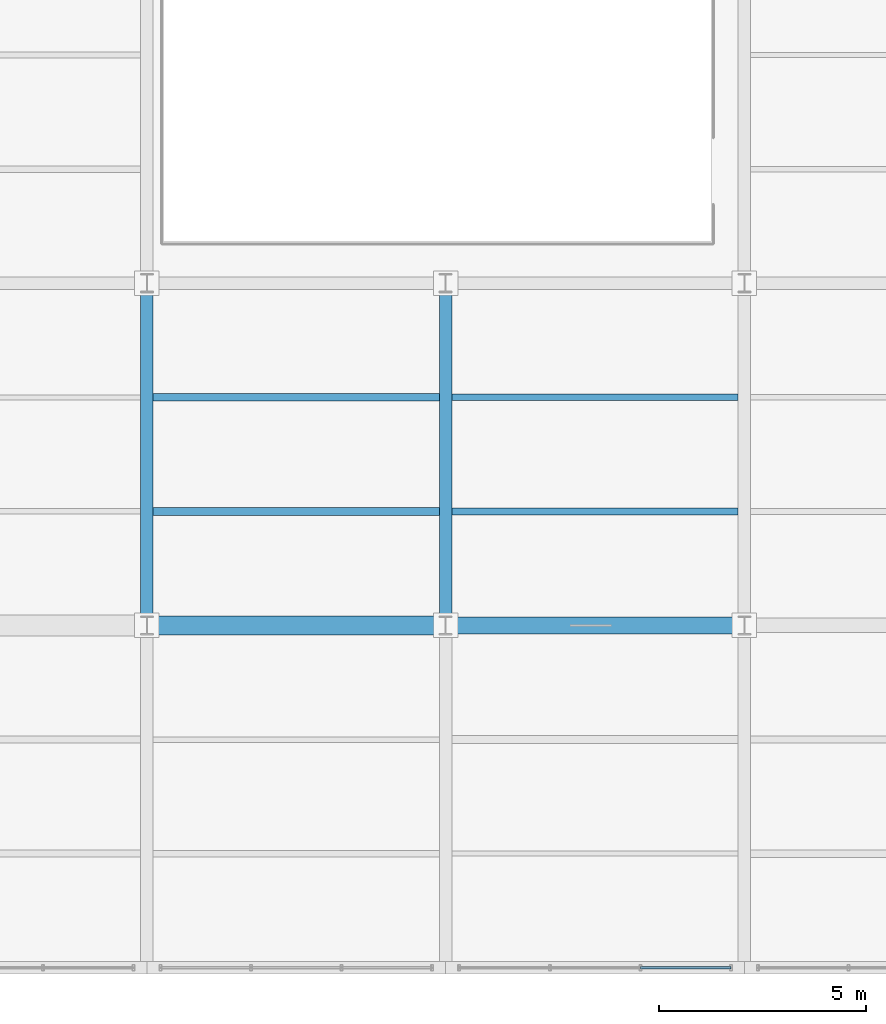
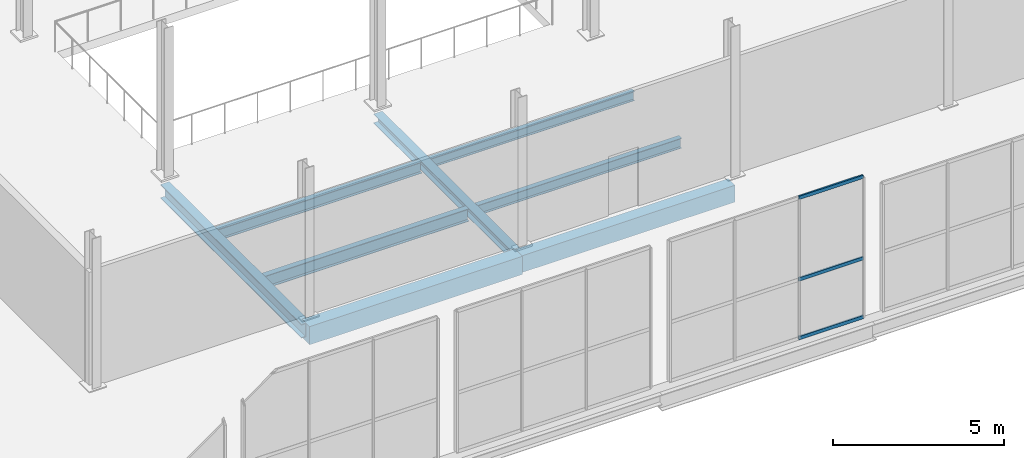
# One storey, part 78 of 147: 8 beams, 3 members, 1 element without a shape of its own.
"""IFC4 building model written with IfcOpenShell, lengths in metres."""

from ifc_helpers import new_model, si_unit, direction, frame, origin, origin_2d, place, context, subcontext, project, spatial, rectangle, hollow_rectangle, i_section, extrude, material, layer, layer_set, material_profile, profile_set, type_object, element, aggregate, save


model = new_model("IFC4")

# Units and contexts
model_context = context("Model", 3, precision=1e-05, world=origin(), true_north=direction((0.0, 1.0)))
body_context = subcontext(model_context, "Body", "Model", "MODEL_VIEW")
ifc_project = project(units=[si_unit("LENGTHUNIT", "METRE"), si_unit("AREAUNIT", "SQUARE_METRE"), si_unit("VOLUMEUNIT", "CUBIC_METRE"), si_unit("PLANEANGLEUNIT", "RADIAN"), si_unit("MASSUNIT", "GRAM", prefix="KILO")], contexts=[model_context])

# Site, building, storey
site_placement = place(None, origin())
site = spatial("IfcSite", under=ifc_project, at=site_placement, CompositionType="ELEMENT")
building_placement = place(site_placement, origin())
building = spatial("IfcBuilding", under=site, at=building_placement, Name="Sundgate Opera House", CompositionType="ELEMENT")
storey_placement = place(building_placement, frame((0.0, 0.0, 6.0)))
storey = spatial("IfcBuildingStorey", under=building, at=storey_placement, Name="L01", CompositionType="ELEMENT", Elevation=6.0)

# Beams
ifc_material_1 = material(Name="Steel S355J2", Category="steel")
ifc_material_profile_1 = material_profile(ifc_material_1, i_section(OverallWidth=0.300048828125, OverallDepth=0.330078125, WebThickness=0.009521484375, FlangeThickness=0.0166015625, at=origin_2d()), Name="HEA 340")
ifc_profile_set_1 = profile_set([ifc_material_profile_1], Name="Steel S355J2")
beam_type_1 = type_object("IfcBeamType", Name="BM-GR-HEA340", PredefinedType="BEAM", material=ifc_profile_set_1)
beam_1_placement = place(storey_placement, frame((138.60009765625, 8.25, -0.465087890625), z_axis=(0.0, 1.0, 0.0), x_axis=(-1.0, 0.0, 0.0)))
element("IfcBeam", 1, at=beam_1_placement, inside=storey, type_object=beam_type_1, Name="L01 Primary N-S Girder B1217", PredefinedType="BEAM", context=body_context, shape_type="SweptSolid", body=[
    extrude(i_section(OverallWidth=0.300048828125, OverallDepth=0.330078125, WebThickness=0.009521484375, FlangeThickness=0.0166015625, at=origin_2d()), origin(), (0.0, 0.0, 1.0), 8.25),
])
ifc_material_2 = material(Name="Steel S355J2", Category="steel")
ifc_material_profile_2 = material_profile(ifc_material_2, i_section(OverallWidth=0.300048828125, OverallDepth=0.5, WebThickness=0.014404296875, FlangeThickness=0.028076171875, at=origin_2d()), Name="HEB 500")
ifc_profile_set_2 = profile_set([ifc_material_profile_2], Name="Steel S355J2")
beam_type_2 = type_object("IfcBeamType", Name="BM-GR-HEB500", PredefinedType="BEAM", material=ifc_profile_set_2)
beam_2_placement = place(storey_placement, frame((131.39990234375, 8.25, -0.550048828125), z_axis=(0.0, 1.0, 0.0), x_axis=(-1.0, 0.0, 0.0)))
element("IfcBeam", 2, at=beam_2_placement, inside=storey, type_object=beam_type_2, Name="L01 Primary N-S Girder B1208", PredefinedType="BEAM", context=body_context, shape_type="SweptSolid", body=[
    extrude(i_section(OverallWidth=0.300048828125, OverallDepth=0.5, WebThickness=0.014404296875, FlangeThickness=0.028076171875, at=origin_2d()), origin(), (0.0, 0.0, 1.0), 8.25),
])
ifc_material_3 = material(Name="Steel S355J2", Category="steel")
ifc_material_profile_3 = material_profile(ifc_material_3, i_section(OverallWidth=0.159912109375, OverallDepth=0.330078125, WebThickness=0.007568359375, FlangeThickness=0.011474609375, at=origin_2d()), Name="IPE 330")
ifc_profile_set_3 = profile_set([ifc_material_profile_3], Name="Steel S355J2")
beam_type_3 = type_object("IfcBeamType", Name="BM-JS-IPE330", PredefinedType="JOIST", material=ifc_profile_set_3)
beam_3_placement = place(storey_placement, frame((138.75, 13.75, -0.465087890625), z_axis=(1.0, 0.0, 0.0), x_axis=(0.0, 1.0, 0.0)))
element("IfcBeam", 3, at=beam_3_placement, inside=storey, type_object=beam_type_3, Name="L01 Secondary Floor Joist B1515", PredefinedType="JOIST", context=body_context, shape_type="SweptSolid", body=[
    extrude(i_section(OverallWidth=0.159912109375, OverallDepth=0.330078125, WebThickness=0.007568359375, FlangeThickness=0.011474609375, at=origin_2d()), origin(), (0.0, 0.0, 1.0), 6.89990234375),
])
ifc_material_4 = material(Name="Steel S355J2", Category="steel")
ifc_material_profile_4 = material_profile(ifc_material_4, i_section(OverallWidth=0.169921875, OverallDepth=0.360107421875, WebThickness=0.008056640625, FlangeThickness=0.0126953125, at=origin_2d()), Name="IPE 360")
ifc_profile_set_4 = profile_set([ifc_material_profile_4], Name="Steel S355J2")
beam_type_4 = type_object("IfcBeamType", Name="BM-JS-IPE360", PredefinedType="JOIST", material=ifc_profile_set_4)
beam_4_placement = place(storey_placement, frame((138.75, 11.0, -0.47998046875), z_axis=(1.0, 0.0, 0.0), x_axis=(0.0, 1.0, 0.0)))
element("IfcBeam", 4, at=beam_4_placement, inside=storey, type_object=beam_type_4, Name="L01 Secondary Floor Joist B1514", PredefinedType="JOIST", context=body_context, shape_type="SweptSolid", body=[
    extrude(i_section(OverallWidth=0.169921875, OverallDepth=0.360107421875, WebThickness=0.008056640625, FlangeThickness=0.0126953125, at=origin_2d()), origin(), (0.0, 0.0, 1.0), 6.89990234375),
])
ifc_material_5 = material(Name="Steel S355J2", Category="steel")
ifc_material_profile_5 = material_profile(ifc_material_5, i_section(OverallWidth=0.179931640625, OverallDepth=0.39990234375, WebThickness=0.008544921875, FlangeThickness=0.013427734375, at=origin_2d()), Name="IPE 400")
ifc_profile_set_5 = profile_set([ifc_material_profile_5], Name="Steel S355J2")
beam_type_5 = type_object("IfcBeamType", Name="BM-JS-IPE400", PredefinedType="JOIST", material=ifc_profile_set_5)
beam_5_placement = place(storey_placement, frame((131.550048828125, 13.75, -0.5), z_axis=(1.0, 0.0, 0.0), x_axis=(0.0, 1.0, 0.0)))
element("IfcBeam", 5, at=beam_5_placement, inside=storey, type_object=beam_type_5, Name="L01 Secondary Floor Joist B1513", PredefinedType="JOIST", context=body_context, shape_type="SweptSolid", body=[
    extrude(i_section(OverallWidth=0.179931640625, OverallDepth=0.39990234375, WebThickness=0.008544921875, FlangeThickness=0.013427734375, at=origin_2d()), origin(), (0.0, 0.0, 1.0), 6.89990234375),
])
ifc_material_6 = material(Name="Steel S355J2", Category="steel")
ifc_material_profile_6 = material_profile(ifc_material_6, i_section(OverallWidth=0.18994140625, OverallDepth=0.449951171875, WebThickness=0.009521484375, FlangeThickness=0.0146484375, at=origin_2d()), Name="IPE 450")
ifc_profile_set_6 = profile_set([ifc_material_profile_6], Name="Steel S355J2")
beam_type_6 = type_object("IfcBeamType", Name="BM-JS-IPE450", PredefinedType="JOIST", material=ifc_profile_set_6)
beam_6_placement = place(storey_placement, frame((131.550048828125, 11.0, -0.52490234375), z_axis=(1.0, 0.0, 0.0), x_axis=(0.0, 1.0, 0.0)))
element("IfcBeam", 6, at=beam_6_placement, inside=storey, type_object=beam_type_6, Name="L01 Secondary Floor Joist B1512", PredefinedType="JOIST", context=body_context, shape_type="SweptSolid", body=[
    extrude(i_section(OverallWidth=0.18994140625, OverallDepth=0.449951171875, WebThickness=0.009521484375, FlangeThickness=0.0146484375, at=origin_2d()), origin(), (0.0, 0.0, 1.0), 6.89990234375),
])
ifc_material_7 = material(Name="Concrete C35/45", Category="concrete")
ifc_material_profile_7 = material_profile(ifc_material_7, rectangle(XDim=0.39990234375, YDim=0.60009765625, at=origin_2d()), Name="RC 400x600")
ifc_profile_set_7 = profile_set([ifc_material_profile_7], Name="Concrete C35/45")
beam_type_7 = type_object("IfcBeamType", Name="BM-RC-400x600", PredefinedType="BEAM", material=ifc_profile_set_7)
beam_7_placement = place(storey_placement, frame((138.60009765625, 8.25, -0.60009765625), z_axis=(1.0, 0.0, 0.0), x_axis=(0.0, 1.0, 0.0)))
element("IfcBeam", 7, at=beam_7_placement, inside=storey, type_object=beam_type_7, Name="L01 Primary E-W Girder B1290", PredefinedType="BEAM", context=body_context, shape_type="SweptSolid", body=[
    extrude(rectangle(XDim=0.39990234375, YDim=0.60009765625, at=origin_2d()), origin(), (0.0, 0.0, 1.0), 7.199951171875),
])
ifc_material_8 = material(Name="Concrete C35/45", Category="concrete")
ifc_material_profile_8 = material_profile(ifc_material_8, rectangle(XDim=0.449951171875, YDim=0.64990234375, at=origin_2d()), Name="RC 450x650")
ifc_profile_set_8 = profile_set([ifc_material_profile_8], Name="Concrete C35/45")
beam_type_8 = type_object("IfcBeamType", Name="BM-RC-450x650", PredefinedType="BEAM", material=ifc_profile_set_8)
beam_8_placement = place(storey_placement, frame((131.39990234375, 8.25, -0.625), z_axis=(1.0, 0.0, 0.0), x_axis=(0.0, 1.0, 0.0)))
element("IfcBeam", 8, at=beam_8_placement, inside=storey, type_object=beam_type_8, Name="L01 Primary E-W Girder B1289", PredefinedType="BEAM", context=body_context, shape_type="SweptSolid", body=[
    extrude(rectangle(XDim=0.449951171875, YDim=0.64990234375, at=origin_2d()), origin(), (0.0, 0.0, 1.0), 7.2001953125),
])

# Curtain wall, members
ifc_material_9 = material(Name="Anodized aluminium and low-iron glass", Category="aluminium")
ifc_layer = layer(ifc_material_9, 0.14990234375)
ifc_layer_set = layer_set([ifc_layer], Name="Anodized aluminium and low-iron glass")
curtain_wall_type = type_object("IfcCurtainWallType", Name="CW-WORKSHOP-DARK", PredefinedType="NOTDEFINED", material=ifc_layer_set)
curtain_wall_placement = place(storey_placement, origin())
curtain_wall = element("IfcCurtainWall", 9, at=curtain_wall_placement, inside=storey, type_object=curtain_wall_type, Name="L01 Curtain Wall CW141", PredefinedType="NOTDEFINED")
ifc_material_10 = material(Name="Anodized aluminium EN AW-6063", Category="aluminium")
ifc_material_profile_9 = material_profile(ifc_material_10, hollow_rectangle(XDim=0.054931640625, YDim=0.1201171875, WallThickness=0.00390625, at=origin_2d()), Name="CWT 120x55x4")
ifc_profile_set_9 = profile_set([ifc_material_profile_9], Name="Anodized aluminium EN AW-6063")
member_type = type_object("IfcMemberType", Name="CWT-ALU-120x55", PredefinedType="USERDEFINED", material=ifc_profile_set_9)
member_1_placement = place(storey_placement, frame((145.47509765625, 0.0, 0.0), z_axis=(-1.0, 0.0, 0.0), x_axis=(0.0, -1.0, 0.0)))
member_1 = element("IfcMember", 10, at=member_1_placement, type_object=member_type, Name="CW141 Transom 1", ObjectType="TRANSOM", PredefinedType="USERDEFINED", context=body_context, shape_type="SweptSolid", body=[
    extrude(hollow_rectangle(XDim=0.054931640625, YDim=0.1201171875, WallThickness=0.00390625, at=origin_2d()), origin(), (0.0, 0.0, 1.0), 2.183349609375),
])
member_2_placement = place(storey_placement, frame((145.47509765625, 0.0, 2.10009765625), z_axis=(-1.0, 0.0, 0.0), x_axis=(0.0, -1.0, 0.0)))
member_2 = element("IfcMember", 11, at=member_2_placement, type_object=member_type, Name="CW141 Transom 2", ObjectType="TRANSOM", PredefinedType="USERDEFINED", context=body_context, shape_type="SweptSolid", body=[
    extrude(hollow_rectangle(XDim=0.054931640625, YDim=0.1201171875, WallThickness=0.00390625, at=origin_2d()), origin(), (0.0, 0.0, 1.0), 2.183349609375),
])
member_3_placement = place(storey_placement, frame((145.47509765625, 0.0, 5.014892578125), z_axis=(-1.0, 0.0, 0.0), x_axis=(0.0, -1.0, 0.0)))
member_3 = element("IfcMember", 12, at=member_3_placement, type_object=member_type, Name="CW141 Transom 3", ObjectType="TRANSOM", PredefinedType="USERDEFINED", context=body_context, shape_type="SweptSolid", body=[
    extrude(hollow_rectangle(XDim=0.054931640625, YDim=0.1201171875, WallThickness=0.00390625, at=origin_2d()), origin(), (0.0, 0.0, 1.0), 2.183349609375),
])
aggregate(curtain_wall, [member_1, member_2, member_3])

save(model, "model.ifc")
